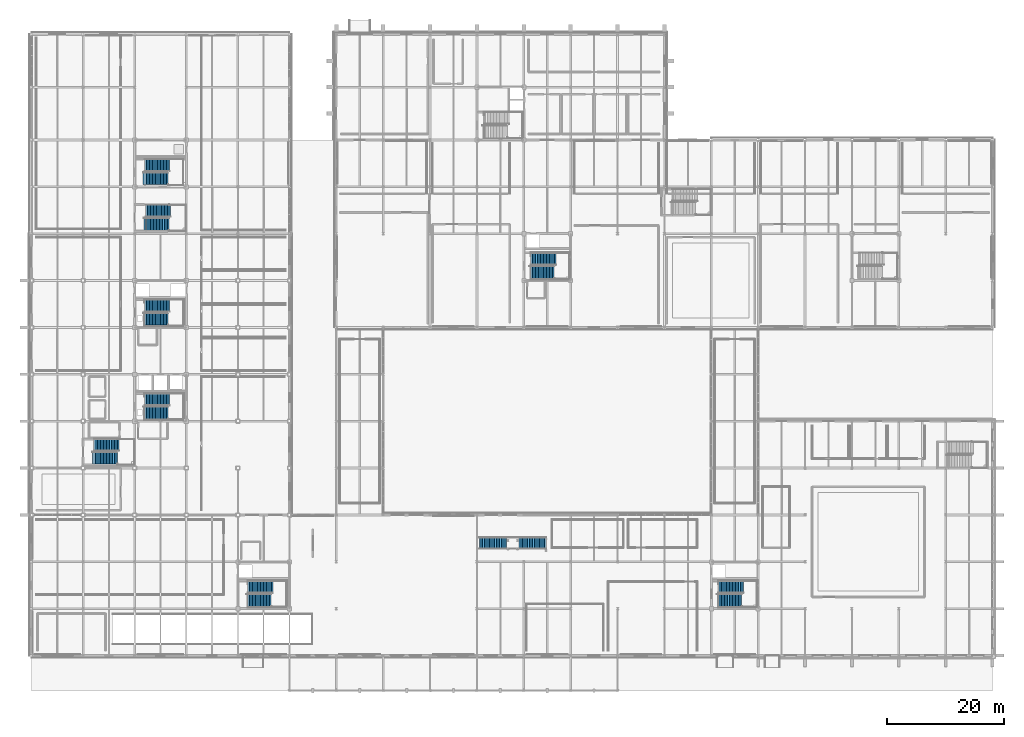
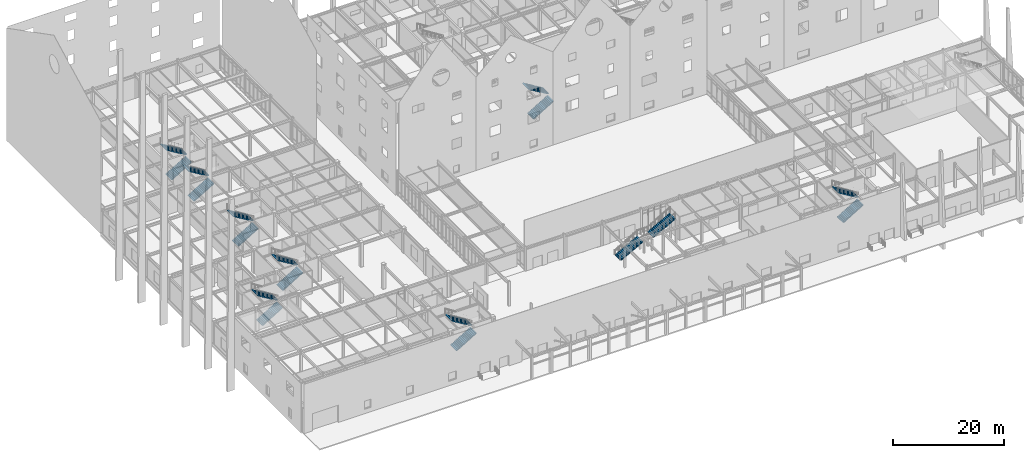
# One storey, part 99 of 119: 18 stair flights, 9 elements without a shape of their own.
"""IFC4 building model written with IfcOpenShell, lengths in metres."""

from ifc_helpers import new_model, si_unit, direction, frame, origin, place, context, subcontext, project, spatial, polyline, outline, extrude, material, type_object, element, aggregate, save


model = new_model("IFC4")

# Units and contexts
model_context = context("Model", 3, precision=1e-05, world=origin(), true_north=direction((0.0, 1.0)))
body_context = subcontext(model_context, "Body", "Model", "MODEL_VIEW")
ifc_project = project(units=[si_unit("LENGTHUNIT", "METRE"), si_unit("AREAUNIT", "SQUARE_METRE"), si_unit("VOLUMEUNIT", "CUBIC_METRE"), si_unit("PLANEANGLEUNIT", "RADIAN"), si_unit("MASSUNIT", "GRAM", prefix="KILO")], contexts=[model_context])

# Site, building, storey
site_placement = place(None, origin())
site = spatial("IfcSite", under=ifc_project, at=site_placement, CompositionType="ELEMENT")
building_placement = place(site_placement, origin())
building = spatial("IfcBuilding", under=site, at=building_placement, Name="Zhaolan Boulevard Law Courts", CompositionType="ELEMENT")
storey_placement = place(building_placement, origin())
storey = spatial("IfcBuildingStorey", under=building, at=storey_placement, Name="L00", CompositionType="ELEMENT", Elevation=0.0)

# Stair, stair flights
ifc_material_1 = material(Name="Concrete C40", Category="concrete")
stair_type_1 = type_object("IfcStairType", Name="GRAND PUBLIC STAIR 540", PredefinedType="STRAIGHT_RUN_STAIR", material=ifc_material_1)
stair_1_placement = place(storey_placement, origin())
stair_1 = element("IfcStair", 1, at=stair_1_placement, inside=storey, type_object=stair_type_1, Name="Stair ST06-L00", PredefinedType="STRAIGHT_RUN_STAIR")
ifc_material_2 = material(Name="Concrete C40", Category="concrete")
stair_flight_type_1 = type_object("IfcStairFlightType", Name="GRAND PUBLIC FLIGHT 540", PredefinedType="STRAIGHT", material=ifc_material_2)
stair_flight_1_placement = place(storey_placement, frame((76.39990234375, 25.199951171875, 0.0), z_axis=(0.0, 0.0, 1.0), x_axis=(1.0, 0.0, 0.0)))
stair_flight_1 = element("IfcStairFlight", 2, at=stair_flight_1_placement, type_object=stair_flight_type_1, Name="Stair Flight ST06-L00-F1", NumberOfRisers=17, NumberOfTreads=16, PredefinedType="STRAIGHT", RiserHeight=0.158823529, TreadLength=0.29, context=body_context, shape_type="SweptSolid", body=[
    extrude(outline(polyline([(0.0, 0.0), (0.0, 0.158935546875), (0.2900390625, 0.158935546875), (0.2900390625, 0.317626953125), (0.580078125, 0.317626953125), (0.580078125, 0.4765625), (0.8701171875, 0.4765625), (0.8701171875, 0.63525390625), (1.159912109375, 0.63525390625), (1.159912109375, 0.794189453125), (1.449951171875, 0.794189453125), (1.449951171875, 0.952880859375), (1.739990234375, 0.952880859375), (1.739990234375, 1.11181640625), (2.030029296875, 1.11181640625), (2.030029296875, 1.2705078125), (2.320068359375, 1.2705078125), (2.320068359375, 1.429443359375), (2.610107421875, 1.429443359375), (2.610107421875, 1.588134765625), (2.89990234375, 1.588134765625), (2.89990234375, 1.7470703125), (3.18994140625, 1.7470703125), (3.18994140625, 1.90576171875), (3.47998046875, 1.90576171875), (3.47998046875, 2.064697265625), (3.77001953125, 2.064697265625), (3.77001953125, 2.2236328125), (4.06005859375, 2.2236328125), (4.06005859375, 2.38232421875), (4.35009765625, 2.38232421875), (4.35009765625, 2.541259765625), (4.639892578125, 2.541259765625), (4.639892578125, 2.699951171875), (4.639892578125, 2.3359375), (0.37451171875, 0.0), (0.0, 0.0)])), frame((0.0, 1.0, 0.0), z_axis=(0.0, -1.0, 0.0), x_axis=(1.0, 0.0, 0.0)), (0.0, 0.0, 1.0), 2.0),
])
stair_flight_2_placement = place(storey_placement, frame((83.18994140625, 25.199951171875, 2.699951171875), z_axis=(0.0, 0.0, 1.0), x_axis=(1.0, 0.0, 0.0)))
stair_flight_2 = element("IfcStairFlight", 3, at=stair_flight_2_placement, type_object=stair_flight_type_1, Name="Stair Flight ST06-L00-F2", NumberOfRisers=17, NumberOfTreads=16, PredefinedType="STRAIGHT", RiserHeight=0.158823529, TreadLength=0.29, context=body_context, shape_type="SweptSolid", body=[
    extrude(outline(polyline([(0.0, 0.0), (0.0, 0.158935546875), (0.2900390625, 0.158935546875), (0.2900390625, 0.317626953125), (0.580078125, 0.317626953125), (0.580078125, 0.4765625), (0.8701171875, 0.4765625), (0.8701171875, 0.63525390625), (1.159912109375, 0.63525390625), (1.159912109375, 0.794189453125), (1.449951171875, 0.794189453125), (1.449951171875, 0.952880859375), (1.739990234375, 0.952880859375), (1.739990234375, 1.11181640625), (2.030029296875, 1.11181640625), (2.030029296875, 1.2705078125), (2.320068359375, 1.2705078125), (2.320068359375, 1.429443359375), (2.610107421875, 1.429443359375), (2.610107421875, 1.588134765625), (2.89990234375, 1.588134765625), (2.89990234375, 1.7470703125), (3.18994140625, 1.7470703125), (3.18994140625, 1.90576171875), (3.47998046875, 1.90576171875), (3.47998046875, 2.064697265625), (3.77001953125, 2.064697265625), (3.77001953125, 2.2236328125), (4.06005859375, 2.2236328125), (4.06005859375, 2.38232421875), (4.35009765625, 2.38232421875), (4.35009765625, 2.541259765625), (4.639892578125, 2.541259765625), (4.639892578125, 2.699951171875), (4.639892578125, 2.3359375), (0.37451171875, 0.0), (0.0, 0.0)])), frame((0.0, 1.0, 0.0), z_axis=(0.0, -1.0, 0.0), x_axis=(1.0, 0.0, 0.0)), (0.0, 0.0, 1.0), 2.0),
])
aggregate(stair_1, [stair_flight_1, stair_flight_2])

ifc_material_3 = material(Name="Concrete C40", Category="concrete")
stair_type_2 = type_object("IfcStairType", Name="HALF TURN STAIR 54 A", PredefinedType="HALF_TURN_STAIR", material=ifc_material_3)
stair_2_placement = place(storey_placement, origin())
stair_2 = element("IfcStair", 4, at=stair_2_placement, inside=storey, type_object=stair_type_2, Name="Stair ST03-L00", PredefinedType="HALF_TURN_STAIR")
ifc_material_4 = material(Name="Concrete C40", Category="concrete")
stair_flight_type_2 = type_object("IfcStairFlightType", Name="STAIR FLIGHT 54 A", PredefinedType="STRAIGHT", material=ifc_material_4)
stair_flight_3_placement = place(storey_placement, frame((10.39990234375, 39.7451171875, 0.0), z_axis=(0.0, 0.0, 1.0), x_axis=(1.0, 0.0, 0.0)))
stair_flight_3 = element("IfcStairFlight", 5, at=stair_flight_3_placement, type_object=stair_flight_type_2, Name="Stair Flight ST03-L00-F1", NumberOfRisers=17, NumberOfTreads=16, PredefinedType="STRAIGHT", RiserHeight=0.158823529, TreadLength=0.265, context=body_context, shape_type="SweptSolid", body=[
    extrude(outline(polyline([(0.0, 0.0), (0.0, 0.158935546875), (0.264892578125, 0.158935546875), (0.264892578125, 0.317626953125), (0.530029296875, 0.317626953125), (0.530029296875, 0.4765625), (0.794921875, 0.4765625), (0.794921875, 0.63525390625), (1.06005859375, 0.63525390625), (1.06005859375, 0.794189453125), (1.324951171875, 0.794189453125), (1.324951171875, 0.952880859375), (1.590087890625, 0.952880859375), (1.590087890625, 1.11181640625), (1.85498046875, 1.11181640625), (1.85498046875, 1.2705078125), (2.1201171875, 1.2705078125), (2.1201171875, 1.429443359375), (2.385009765625, 1.429443359375), (2.385009765625, 1.588134765625), (2.64990234375, 1.588134765625), (2.64990234375, 1.7470703125), (2.9150390625, 1.7470703125), (2.9150390625, 1.90576171875), (3.179931640625, 1.90576171875), (3.179931640625, 2.064697265625), (3.445068359375, 2.064697265625), (3.445068359375, 2.2236328125), (3.7099609375, 2.2236328125), (3.7099609375, 2.38232421875), (3.97509765625, 2.38232421875), (3.97509765625, 2.541259765625), (4.239990234375, 2.541259765625), (4.239990234375, 2.699951171875), (4.239990234375, 2.354736328125), (0.31103515625, 0.0), (0.0, 0.0)])), frame((0.0, 1.06494140625, 0.0), z_axis=(0.0, -1.0, 0.0), x_axis=(1.0, 0.0, 0.0)), (0.0, 0.0, 1.0), 2.1298828125),
])
stair_flight_4_placement = place(storey_placement, frame((14.925048828125, 41.97509765625, 2.699951171875), z_axis=(0.0, 0.0, 1.0), x_axis=(-1.0, 0.0, 0.0)))
stair_flight_4 = element("IfcStairFlight", 6, at=stair_flight_4_placement, type_object=stair_flight_type_2, Name="Stair Flight ST03-L00-F2", NumberOfRisers=17, NumberOfTreads=16, PredefinedType="STRAIGHT", RiserHeight=0.158823529, TreadLength=0.265, context=body_context, shape_type="SweptSolid", body=[
    extrude(outline(polyline([(0.0, 0.0), (0.0, 0.158935546875), (0.264892578125, 0.158935546875), (0.264892578125, 0.317626953125), (0.530029296875, 0.317626953125), (0.530029296875, 0.4765625), (0.794921875, 0.4765625), (0.794921875, 0.63525390625), (1.06005859375, 0.63525390625), (1.06005859375, 0.794189453125), (1.324951171875, 0.794189453125), (1.324951171875, 0.952880859375), (1.590087890625, 0.952880859375), (1.590087890625, 1.11181640625), (1.85498046875, 1.11181640625), (1.85498046875, 1.2705078125), (2.1201171875, 1.2705078125), (2.1201171875, 1.429443359375), (2.385009765625, 1.429443359375), (2.385009765625, 1.588134765625), (2.64990234375, 1.588134765625), (2.64990234375, 1.7470703125), (2.9150390625, 1.7470703125), (2.9150390625, 1.90576171875), (3.179931640625, 1.90576171875), (3.179931640625, 2.064697265625), (3.445068359375, 2.064697265625), (3.445068359375, 2.2236328125), (3.7099609375, 2.2236328125), (3.7099609375, 2.38232421875), (3.97509765625, 2.38232421875), (3.97509765625, 2.541259765625), (4.239990234375, 2.541259765625), (4.239990234375, 2.699951171875), (4.239990234375, 2.354736328125), (0.31103515625, 0.0), (0.0, 0.0)])), frame((0.0, 1.06494140625, 0.0), z_axis=(0.0, -1.0, 0.0), x_axis=(1.0, 0.0, 0.0)), (0.0, 0.0, 1.0), 2.1298828125),
])
aggregate(stair_2, [stair_flight_3, stair_flight_4])

stair_3_placement = place(storey_placement, origin())
stair_3 = element("IfcStair", 7, at=stair_3_placement, inside=storey, type_object=stair_type_2, Name="Stair ST08-L00", PredefinedType="HALF_TURN_STAIR")
stair_flight_5_placement = place(storey_placement, frame((84.949951171875, 71.445068359375, 0.0), z_axis=(0.0, 0.0, 1.0), x_axis=(1.0, 0.0, 0.0)))
stair_flight_5 = element("IfcStairFlight", 8, at=stair_flight_5_placement, type_object=stair_flight_type_2, Name="Stair Flight ST08-L00-F1", NumberOfRisers=17, NumberOfTreads=16, PredefinedType="STRAIGHT", RiserHeight=0.158823529, TreadLength=0.265, context=body_context, shape_type="SweptSolid", body=[
    extrude(outline(polyline([(0.0, 0.0), (0.0, 0.158935546875), (0.264892578125, 0.158935546875), (0.264892578125, 0.317626953125), (0.530029296875, 0.317626953125), (0.530029296875, 0.4765625), (0.794921875, 0.4765625), (0.794921875, 0.63525390625), (1.06005859375, 0.63525390625), (1.06005859375, 0.794189453125), (1.324951171875, 0.794189453125), (1.324951171875, 0.952880859375), (1.590087890625, 0.952880859375), (1.590087890625, 1.11181640625), (1.85498046875, 1.11181640625), (1.85498046875, 1.2705078125), (2.1201171875, 1.2705078125), (2.1201171875, 1.429443359375), (2.385009765625, 1.429443359375), (2.385009765625, 1.588134765625), (2.64990234375, 1.588134765625), (2.64990234375, 1.7470703125), (2.9150390625, 1.7470703125), (2.9150390625, 1.90576171875), (3.179931640625, 1.90576171875), (3.179931640625, 2.064697265625), (3.445068359375, 2.064697265625), (3.445068359375, 2.2236328125), (3.7099609375, 2.2236328125), (3.7099609375, 2.38232421875), (3.97509765625, 2.38232421875), (3.97509765625, 2.541259765625), (4.239990234375, 2.541259765625), (4.239990234375, 2.699951171875), (4.239990234375, 2.354736328125), (0.31103515625, 0.0), (0.0, 0.0)])), frame((0.0, 1.06494140625, 0.0), z_axis=(0.0, -1.0, 0.0), x_axis=(1.0, 0.0, 0.0)), (0.0, 0.0, 1.0), 2.1298828125),
])
stair_flight_6_placement = place(storey_placement, frame((89.47509765625, 73.675048828125, 2.699951171875), z_axis=(0.0, 0.0, 1.0), x_axis=(-1.0, 0.0, 0.0)))
stair_flight_6 = element("IfcStairFlight", 9, at=stair_flight_6_placement, type_object=stair_flight_type_2, Name="Stair Flight ST08-L00-F2", NumberOfRisers=17, NumberOfTreads=16, PredefinedType="STRAIGHT", RiserHeight=0.158823529, TreadLength=0.265, context=body_context, shape_type="SweptSolid", body=[
    extrude(outline(polyline([(0.0, 0.0), (0.0, 0.158935546875), (0.264892578125, 0.158935546875), (0.264892578125, 0.317626953125), (0.530029296875, 0.317626953125), (0.530029296875, 0.4765625), (0.794921875, 0.4765625), (0.794921875, 0.63525390625), (1.06005859375, 0.63525390625), (1.06005859375, 0.794189453125), (1.324951171875, 0.794189453125), (1.324951171875, 0.952880859375), (1.590087890625, 0.952880859375), (1.590087890625, 1.11181640625), (1.85498046875, 1.11181640625), (1.85498046875, 1.2705078125), (2.1201171875, 1.2705078125), (2.1201171875, 1.429443359375), (2.385009765625, 1.429443359375), (2.385009765625, 1.588134765625), (2.64990234375, 1.588134765625), (2.64990234375, 1.7470703125), (2.9150390625, 1.7470703125), (2.9150390625, 1.90576171875), (3.179931640625, 1.90576171875), (3.179931640625, 2.064697265625), (3.445068359375, 2.064697265625), (3.445068359375, 2.2236328125), (3.7099609375, 2.2236328125), (3.7099609375, 2.38232421875), (3.97509765625, 2.38232421875), (3.97509765625, 2.541259765625), (4.239990234375, 2.541259765625), (4.239990234375, 2.699951171875), (4.239990234375, 2.354736328125), (0.31103515625, 0.0), (0.0, 0.0)])), frame((0.0, 1.06494140625, 0.0), z_axis=(0.0, -1.0, 0.0), x_axis=(1.0, 0.0, 0.0)), (0.0, 0.0, 1.0), 2.1298828125),
])
aggregate(stair_3, [stair_flight_5, stair_flight_6])

stair_4_placement = place(storey_placement, origin())
stair_4 = element("IfcStair", 10, at=stair_4_placement, inside=storey, type_object=stair_type_2, Name="Stair ST10-L00", PredefinedType="HALF_TURN_STAIR")
stair_flight_7_placement = place(storey_placement, frame((19.050048828125, 87.445068359375, 0.0), z_axis=(0.0, 0.0, 1.0), x_axis=(1.0, 0.0, 0.0)))
stair_flight_7 = element("IfcStairFlight", 11, at=stair_flight_7_placement, type_object=stair_flight_type_2, Name="Stair Flight ST10-L00-F1", NumberOfRisers=17, NumberOfTreads=16, PredefinedType="STRAIGHT", RiserHeight=0.158823529, TreadLength=0.265, context=body_context, shape_type="SweptSolid", body=[
    extrude(outline(polyline([(0.0, 0.0), (0.0, 0.158935546875), (0.264892578125, 0.158935546875), (0.264892578125, 0.317626953125), (0.530029296875, 0.317626953125), (0.530029296875, 0.4765625), (0.794921875, 0.4765625), (0.794921875, 0.63525390625), (1.06005859375, 0.63525390625), (1.06005859375, 0.794189453125), (1.324951171875, 0.794189453125), (1.324951171875, 0.952880859375), (1.590087890625, 0.952880859375), (1.590087890625, 1.11181640625), (1.85498046875, 1.11181640625), (1.85498046875, 1.2705078125), (2.1201171875, 1.2705078125), (2.1201171875, 1.429443359375), (2.385009765625, 1.429443359375), (2.385009765625, 1.588134765625), (2.64990234375, 1.588134765625), (2.64990234375, 1.7470703125), (2.9150390625, 1.7470703125), (2.9150390625, 1.90576171875), (3.179931640625, 1.90576171875), (3.179931640625, 2.064697265625), (3.445068359375, 2.064697265625), (3.445068359375, 2.2236328125), (3.7099609375, 2.2236328125), (3.7099609375, 2.38232421875), (3.97509765625, 2.38232421875), (3.97509765625, 2.541259765625), (4.239990234375, 2.541259765625), (4.239990234375, 2.699951171875), (4.239990234375, 2.354736328125), (0.31103515625, 0.0), (0.0, 0.0)])), frame((0.0, 1.06494140625, 0.0), z_axis=(0.0, -1.0, 0.0), x_axis=(1.0, 0.0, 0.0)), (0.0, 0.0, 1.0), 2.1298828125),
])
stair_flight_8_placement = place(storey_placement, frame((23.574951171875, 89.675048828125, 2.699951171875), z_axis=(0.0, 0.0, 1.0), x_axis=(-1.0, 0.0, 0.0)))
stair_flight_8 = element("IfcStairFlight", 12, at=stair_flight_8_placement, type_object=stair_flight_type_2, Name="Stair Flight ST10-L00-F2", NumberOfRisers=17, NumberOfTreads=16, PredefinedType="STRAIGHT", RiserHeight=0.158823529, TreadLength=0.265, context=body_context, shape_type="SweptSolid", body=[
    extrude(outline(polyline([(0.0, 0.0), (0.0, 0.158935546875), (0.264892578125, 0.158935546875), (0.264892578125, 0.317626953125), (0.530029296875, 0.317626953125), (0.530029296875, 0.4765625), (0.794921875, 0.4765625), (0.794921875, 0.63525390625), (1.06005859375, 0.63525390625), (1.06005859375, 0.794189453125), (1.324951171875, 0.794189453125), (1.324951171875, 0.952880859375), (1.590087890625, 0.952880859375), (1.590087890625, 1.11181640625), (1.85498046875, 1.11181640625), (1.85498046875, 1.2705078125), (2.1201171875, 1.2705078125), (2.1201171875, 1.429443359375), (2.385009765625, 1.429443359375), (2.385009765625, 1.588134765625), (2.64990234375, 1.588134765625), (2.64990234375, 1.7470703125), (2.9150390625, 1.7470703125), (2.9150390625, 1.90576171875), (3.179931640625, 1.90576171875), (3.179931640625, 2.064697265625), (3.445068359375, 2.064697265625), (3.445068359375, 2.2236328125), (3.7099609375, 2.2236328125), (3.7099609375, 2.38232421875), (3.97509765625, 2.38232421875), (3.97509765625, 2.541259765625), (4.239990234375, 2.541259765625), (4.239990234375, 2.699951171875), (4.239990234375, 2.354736328125), (0.31103515625, 0.0), (0.0, 0.0)])), frame((0.0, 1.06494140625, 0.0), z_axis=(0.0, -1.0, 0.0), x_axis=(1.0, 0.0, 0.0)), (0.0, 0.0, 1.0), 2.1298828125),
])
aggregate(stair_4, [stair_flight_7, stair_flight_8])

ifc_material_5 = material(Name="Concrete C40", Category="concrete")
stair_type_3 = type_object("IfcStairType", Name="HALF TURN STAIR 54 B", PredefinedType="HALF_TURN_STAIR", material=ifc_material_5)
stair_5_placement = place(storey_placement, origin())
stair_5 = element("IfcStair", 13, at=stair_5_placement, inside=storey, type_object=stair_type_3, Name="Stair ST01-L00", PredefinedType="HALF_TURN_STAIR")
ifc_material_6 = material(Name="Concrete C40", Category="concrete")
stair_flight_type_3 = type_object("IfcStairFlightType", Name="STAIR FLIGHT 54 B", PredefinedType="STRAIGHT", material=ifc_material_6)
stair_flight_9_placement = place(storey_placement, frame((19.050048828125, 47.4599609375, 0.0), z_axis=(0.0, 0.0, 1.0), x_axis=(1.0, 0.0, 0.0)))
stair_flight_9 = element("IfcStairFlight", 14, at=stair_flight_9_placement, type_object=stair_flight_type_3, Name="Stair Flight ST01-L00-F1", NumberOfRisers=17, NumberOfTreads=16, PredefinedType="STRAIGHT", RiserHeight=0.158823529, TreadLength=0.265, context=body_context, shape_type="SweptSolid", body=[
    extrude(outline(polyline([(0.0, 0.0), (0.0, 0.158935546875), (0.264892578125, 0.158935546875), (0.264892578125, 0.317626953125), (0.530029296875, 0.317626953125), (0.530029296875, 0.4765625), (0.794921875, 0.4765625), (0.794921875, 0.63525390625), (1.06005859375, 0.63525390625), (1.06005859375, 0.794189453125), (1.324951171875, 0.794189453125), (1.324951171875, 0.952880859375), (1.590087890625, 0.952880859375), (1.590087890625, 1.11181640625), (1.85498046875, 1.11181640625), (1.85498046875, 1.2705078125), (2.1201171875, 1.2705078125), (2.1201171875, 1.429443359375), (2.385009765625, 1.429443359375), (2.385009765625, 1.588134765625), (2.64990234375, 1.588134765625), (2.64990234375, 1.7470703125), (2.9150390625, 1.7470703125), (2.9150390625, 1.90576171875), (3.179931640625, 1.90576171875), (3.179931640625, 2.064697265625), (3.445068359375, 2.064697265625), (3.445068359375, 2.2236328125), (3.7099609375, 2.2236328125), (3.7099609375, 2.38232421875), (3.97509765625, 2.38232421875), (3.97509765625, 2.541259765625), (4.239990234375, 2.541259765625), (4.239990234375, 2.699951171875), (4.239990234375, 2.354736328125), (0.31103515625, 0.0), (0.0, 0.0)])), frame((0.0, 1.080078125, 0.0), z_axis=(0.0, -1.0, 0.0), x_axis=(1.0, 0.0, 0.0)), (0.0, 0.0, 1.0), 2.159912109375),
])
stair_flight_10_placement = place(storey_placement, frame((23.574951171875, 49.719970703125, 2.699951171875), z_axis=(0.0, 0.0, 1.0), x_axis=(-1.0, 0.0, 0.0)))
stair_flight_10 = element("IfcStairFlight", 15, at=stair_flight_10_placement, type_object=stair_flight_type_3, Name="Stair Flight ST01-L00-F2", NumberOfRisers=17, NumberOfTreads=16, PredefinedType="STRAIGHT", RiserHeight=0.158823529, TreadLength=0.265, context=body_context, shape_type="SweptSolid", body=[
    extrude(outline(polyline([(0.0, 0.0), (0.0, 0.158935546875), (0.264892578125, 0.158935546875), (0.264892578125, 0.317626953125), (0.530029296875, 0.317626953125), (0.530029296875, 0.4765625), (0.794921875, 0.4765625), (0.794921875, 0.63525390625), (1.06005859375, 0.63525390625), (1.06005859375, 0.794189453125), (1.324951171875, 0.794189453125), (1.324951171875, 0.952880859375), (1.590087890625, 0.952880859375), (1.590087890625, 1.11181640625), (1.85498046875, 1.11181640625), (1.85498046875, 1.2705078125), (2.1201171875, 1.2705078125), (2.1201171875, 1.429443359375), (2.385009765625, 1.429443359375), (2.385009765625, 1.588134765625), (2.64990234375, 1.588134765625), (2.64990234375, 1.7470703125), (2.9150390625, 1.7470703125), (2.9150390625, 1.90576171875), (3.179931640625, 1.90576171875), (3.179931640625, 2.064697265625), (3.445068359375, 2.064697265625), (3.445068359375, 2.2236328125), (3.7099609375, 2.2236328125), (3.7099609375, 2.38232421875), (3.97509765625, 2.38232421875), (3.97509765625, 2.541259765625), (4.239990234375, 2.541259765625), (4.239990234375, 2.699951171875), (4.239990234375, 2.354736328125), (0.31103515625, 0.0), (0.0, 0.0)])), frame((0.0, 1.080078125, 0.0), z_axis=(0.0, -1.0, 0.0), x_axis=(1.0, 0.0, 0.0)), (0.0, 0.0, 1.0), 2.159912109375),
])
aggregate(stair_5, [stair_flight_9, stair_flight_10])

stair_6_placement = place(storey_placement, origin())
stair_6 = element("IfcStair", 16, at=stair_6_placement, inside=storey, type_object=stair_type_3, Name="Stair ST02-L00", PredefinedType="HALF_TURN_STAIR")
stair_flight_11_placement = place(storey_placement, frame((19.050048828125, 63.4599609375, 0.0), z_axis=(0.0, 0.0, 1.0), x_axis=(1.0, 0.0, 0.0)))
stair_flight_11 = element("IfcStairFlight", 17, at=stair_flight_11_placement, type_object=stair_flight_type_3, Name="Stair Flight ST02-L00-F1", NumberOfRisers=17, NumberOfTreads=16, PredefinedType="STRAIGHT", RiserHeight=0.158823529, TreadLength=0.265, context=body_context, shape_type="SweptSolid", body=[
    extrude(outline(polyline([(0.0, 0.0), (0.0, 0.158935546875), (0.264892578125, 0.158935546875), (0.264892578125, 0.317626953125), (0.530029296875, 0.317626953125), (0.530029296875, 0.4765625), (0.794921875, 0.4765625), (0.794921875, 0.63525390625), (1.06005859375, 0.63525390625), (1.06005859375, 0.794189453125), (1.324951171875, 0.794189453125), (1.324951171875, 0.952880859375), (1.590087890625, 0.952880859375), (1.590087890625, 1.11181640625), (1.85498046875, 1.11181640625), (1.85498046875, 1.2705078125), (2.1201171875, 1.2705078125), (2.1201171875, 1.429443359375), (2.385009765625, 1.429443359375), (2.385009765625, 1.588134765625), (2.64990234375, 1.588134765625), (2.64990234375, 1.7470703125), (2.9150390625, 1.7470703125), (2.9150390625, 1.90576171875), (3.179931640625, 1.90576171875), (3.179931640625, 2.064697265625), (3.445068359375, 2.064697265625), (3.445068359375, 2.2236328125), (3.7099609375, 2.2236328125), (3.7099609375, 2.38232421875), (3.97509765625, 2.38232421875), (3.97509765625, 2.541259765625), (4.239990234375, 2.541259765625), (4.239990234375, 2.699951171875), (4.239990234375, 2.354736328125), (0.31103515625, 0.0), (0.0, 0.0)])), frame((0.0, 1.080078125, 0.0), z_axis=(0.0, -1.0, 0.0), x_axis=(1.0, 0.0, 0.0)), (0.0, 0.0, 1.0), 2.159912109375),
])
stair_flight_12_placement = place(storey_placement, frame((23.574951171875, 65.719970703125, 2.699951171875), z_axis=(0.0, 0.0, 1.0), x_axis=(-1.0, 0.0, 0.0)))
stair_flight_12 = element("IfcStairFlight", 18, at=stair_flight_12_placement, type_object=stair_flight_type_3, Name="Stair Flight ST02-L00-F2", NumberOfRisers=17, NumberOfTreads=16, PredefinedType="STRAIGHT", RiserHeight=0.158823529, TreadLength=0.265, context=body_context, shape_type="SweptSolid", body=[
    extrude(outline(polyline([(0.0, 0.0), (0.0, 0.158935546875), (0.264892578125, 0.158935546875), (0.264892578125, 0.317626953125), (0.530029296875, 0.317626953125), (0.530029296875, 0.4765625), (0.794921875, 0.4765625), (0.794921875, 0.63525390625), (1.06005859375, 0.63525390625), (1.06005859375, 0.794189453125), (1.324951171875, 0.794189453125), (1.324951171875, 0.952880859375), (1.590087890625, 0.952880859375), (1.590087890625, 1.11181640625), (1.85498046875, 1.11181640625), (1.85498046875, 1.2705078125), (2.1201171875, 1.2705078125), (2.1201171875, 1.429443359375), (2.385009765625, 1.429443359375), (2.385009765625, 1.588134765625), (2.64990234375, 1.588134765625), (2.64990234375, 1.7470703125), (2.9150390625, 1.7470703125), (2.9150390625, 1.90576171875), (3.179931640625, 1.90576171875), (3.179931640625, 2.064697265625), (3.445068359375, 2.064697265625), (3.445068359375, 2.2236328125), (3.7099609375, 2.2236328125), (3.7099609375, 2.38232421875), (3.97509765625, 2.38232421875), (3.97509765625, 2.541259765625), (4.239990234375, 2.541259765625), (4.239990234375, 2.699951171875), (4.239990234375, 2.354736328125), (0.31103515625, 0.0), (0.0, 0.0)])), frame((0.0, 1.080078125, 0.0), z_axis=(0.0, -1.0, 0.0), x_axis=(1.0, 0.0, 0.0)), (0.0, 0.0, 1.0), 2.159912109375),
])
aggregate(stair_6, [stair_flight_11, stair_flight_12])

stair_7_placement = place(storey_placement, origin())
stair_7 = element("IfcStair", 19, at=stair_7_placement, inside=storey, type_object=stair_type_3, Name="Stair ST04-L00", PredefinedType="HALF_TURN_STAIR")
stair_flight_13_placement = place(storey_placement, frame((36.64990234375, 15.4599609375, 0.0), z_axis=(0.0, 0.0, 1.0), x_axis=(1.0, 0.0, 0.0)))
stair_flight_13 = element("IfcStairFlight", 20, at=stair_flight_13_placement, type_object=stair_flight_type_3, Name="Stair Flight ST04-L00-F1", NumberOfRisers=17, NumberOfTreads=16, PredefinedType="STRAIGHT", RiserHeight=0.158823529, TreadLength=0.265, context=body_context, shape_type="SweptSolid", body=[
    extrude(outline(polyline([(0.0, 0.0), (0.0, 0.158935546875), (0.264892578125, 0.158935546875), (0.264892578125, 0.317626953125), (0.530029296875, 0.317626953125), (0.530029296875, 0.4765625), (0.794921875, 0.4765625), (0.794921875, 0.63525390625), (1.06005859375, 0.63525390625), (1.06005859375, 0.794189453125), (1.324951171875, 0.794189453125), (1.324951171875, 0.952880859375), (1.590087890625, 0.952880859375), (1.590087890625, 1.11181640625), (1.85498046875, 1.11181640625), (1.85498046875, 1.2705078125), (2.1201171875, 1.2705078125), (2.1201171875, 1.429443359375), (2.385009765625, 1.429443359375), (2.385009765625, 1.588134765625), (2.64990234375, 1.588134765625), (2.64990234375, 1.7470703125), (2.9150390625, 1.7470703125), (2.9150390625, 1.90576171875), (3.179931640625, 1.90576171875), (3.179931640625, 2.064697265625), (3.445068359375, 2.064697265625), (3.445068359375, 2.2236328125), (3.7099609375, 2.2236328125), (3.7099609375, 2.38232421875), (3.97509765625, 2.38232421875), (3.97509765625, 2.541259765625), (4.239990234375, 2.541259765625), (4.239990234375, 2.699951171875), (4.239990234375, 2.354736328125), (0.31103515625, 0.0), (0.0, 0.0)])), frame((0.0, 1.080078125, 0.0), z_axis=(0.0, -1.0, 0.0), x_axis=(1.0, 0.0, 0.0)), (0.0, 0.0, 1.0), 2.159912109375),
])
stair_flight_14_placement = place(storey_placement, frame((41.175048828125, 17.719970703125, 2.699951171875), z_axis=(0.0, 0.0, 1.0), x_axis=(-1.0, 0.0, 0.0)))
stair_flight_14 = element("IfcStairFlight", 21, at=stair_flight_14_placement, type_object=stair_flight_type_3, Name="Stair Flight ST04-L00-F2", NumberOfRisers=17, NumberOfTreads=16, PredefinedType="STRAIGHT", RiserHeight=0.158823529, TreadLength=0.265, context=body_context, shape_type="SweptSolid", body=[
    extrude(outline(polyline([(0.0, 0.0), (0.0, 0.158935546875), (0.264892578125, 0.158935546875), (0.264892578125, 0.317626953125), (0.530029296875, 0.317626953125), (0.530029296875, 0.4765625), (0.794921875, 0.4765625), (0.794921875, 0.63525390625), (1.06005859375, 0.63525390625), (1.06005859375, 0.794189453125), (1.324951171875, 0.794189453125), (1.324951171875, 0.952880859375), (1.590087890625, 0.952880859375), (1.590087890625, 1.11181640625), (1.85498046875, 1.11181640625), (1.85498046875, 1.2705078125), (2.1201171875, 1.2705078125), (2.1201171875, 1.429443359375), (2.385009765625, 1.429443359375), (2.385009765625, 1.588134765625), (2.64990234375, 1.588134765625), (2.64990234375, 1.7470703125), (2.9150390625, 1.7470703125), (2.9150390625, 1.90576171875), (3.179931640625, 1.90576171875), (3.179931640625, 2.064697265625), (3.445068359375, 2.064697265625), (3.445068359375, 2.2236328125), (3.7099609375, 2.2236328125), (3.7099609375, 2.38232421875), (3.97509765625, 2.38232421875), (3.97509765625, 2.541259765625), (4.239990234375, 2.541259765625), (4.239990234375, 2.699951171875), (4.239990234375, 2.354736328125), (0.31103515625, 0.0), (0.0, 0.0)])), frame((0.0, 1.080078125, 0.0), z_axis=(0.0, -1.0, 0.0), x_axis=(1.0, 0.0, 0.0)), (0.0, 0.0, 1.0), 2.159912109375),
])
aggregate(stair_7, [stair_flight_13, stair_flight_14])

stair_8_placement = place(storey_placement, origin())
stair_8 = element("IfcStair", 22, at=stair_8_placement, inside=storey, type_object=stair_type_3, Name="Stair ST05-L00", PredefinedType="HALF_TURN_STAIR")
stair_flight_15_placement = place(storey_placement, frame((116.949951171875, 15.4599609375, 0.0), z_axis=(0.0, 0.0, 1.0), x_axis=(1.0, 0.0, 0.0)))
stair_flight_15 = element("IfcStairFlight", 23, at=stair_flight_15_placement, type_object=stair_flight_type_3, Name="Stair Flight ST05-L00-F1", NumberOfRisers=17, NumberOfTreads=16, PredefinedType="STRAIGHT", RiserHeight=0.158823529, TreadLength=0.265, context=body_context, shape_type="SweptSolid", body=[
    extrude(outline(polyline([(0.0, 0.0), (0.0, 0.158935546875), (0.264892578125, 0.158935546875), (0.264892578125, 0.317626953125), (0.530029296875, 0.317626953125), (0.530029296875, 0.4765625), (0.794921875, 0.4765625), (0.794921875, 0.63525390625), (1.06005859375, 0.63525390625), (1.06005859375, 0.794189453125), (1.324951171875, 0.794189453125), (1.324951171875, 0.952880859375), (1.590087890625, 0.952880859375), (1.590087890625, 1.11181640625), (1.85498046875, 1.11181640625), (1.85498046875, 1.2705078125), (2.1201171875, 1.2705078125), (2.1201171875, 1.429443359375), (2.385009765625, 1.429443359375), (2.385009765625, 1.588134765625), (2.64990234375, 1.588134765625), (2.64990234375, 1.7470703125), (2.9150390625, 1.7470703125), (2.9150390625, 1.90576171875), (3.179931640625, 1.90576171875), (3.179931640625, 2.064697265625), (3.445068359375, 2.064697265625), (3.445068359375, 2.2236328125), (3.7099609375, 2.2236328125), (3.7099609375, 2.38232421875), (3.97509765625, 2.38232421875), (3.97509765625, 2.541259765625), (4.239990234375, 2.541259765625), (4.239990234375, 2.699951171875), (4.239990234375, 2.354736328125), (0.31103515625, 0.0), (0.0, 0.0)])), frame((0.0, 1.080078125, 0.0), z_axis=(0.0, -1.0, 0.0), x_axis=(1.0, 0.0, 0.0)), (0.0, 0.0, 1.0), 2.159912109375),
])
stair_flight_16_placement = place(storey_placement, frame((121.47509765625, 17.719970703125, 2.699951171875), z_axis=(0.0, 0.0, 1.0), x_axis=(-1.0, 0.0, 0.0)))
stair_flight_16 = element("IfcStairFlight", 24, at=stair_flight_16_placement, type_object=stair_flight_type_3, Name="Stair Flight ST05-L00-F2", NumberOfRisers=17, NumberOfTreads=16, PredefinedType="STRAIGHT", RiserHeight=0.158823529, TreadLength=0.265, context=body_context, shape_type="SweptSolid", body=[
    extrude(outline(polyline([(0.0, 0.0), (0.0, 0.158935546875), (0.264892578125, 0.158935546875), (0.264892578125, 0.317626953125), (0.530029296875, 0.317626953125), (0.530029296875, 0.4765625), (0.794921875, 0.4765625), (0.794921875, 0.63525390625), (1.06005859375, 0.63525390625), (1.06005859375, 0.794189453125), (1.324951171875, 0.794189453125), (1.324951171875, 0.952880859375), (1.590087890625, 0.952880859375), (1.590087890625, 1.11181640625), (1.85498046875, 1.11181640625), (1.85498046875, 1.2705078125), (2.1201171875, 1.2705078125), (2.1201171875, 1.429443359375), (2.385009765625, 1.429443359375), (2.385009765625, 1.588134765625), (2.64990234375, 1.588134765625), (2.64990234375, 1.7470703125), (2.9150390625, 1.7470703125), (2.9150390625, 1.90576171875), (3.179931640625, 1.90576171875), (3.179931640625, 2.064697265625), (3.445068359375, 2.064697265625), (3.445068359375, 2.2236328125), (3.7099609375, 2.2236328125), (3.7099609375, 2.38232421875), (3.97509765625, 2.38232421875), (3.97509765625, 2.541259765625), (4.239990234375, 2.541259765625), (4.239990234375, 2.699951171875), (4.239990234375, 2.354736328125), (0.31103515625, 0.0), (0.0, 0.0)])), frame((0.0, 1.080078125, 0.0), z_axis=(0.0, -1.0, 0.0), x_axis=(1.0, 0.0, 0.0)), (0.0, 0.0, 1.0), 2.159912109375),
])
aggregate(stair_8, [stair_flight_15, stair_flight_16])

stair_9_placement = place(storey_placement, origin())
stair_9 = element("IfcStair", 25, at=stair_9_placement, inside=storey, type_object=stair_type_3, Name="Stair ST12-L00", PredefinedType="HALF_TURN_STAIR")
stair_flight_17_placement = place(storey_placement, frame((19.199951171875, 79.659912109375, 0.0), z_axis=(0.0, 0.0, 1.0), x_axis=(1.0, 0.0, 0.0)))
stair_flight_17 = element("IfcStairFlight", 26, at=stair_flight_17_placement, type_object=stair_flight_type_3, Name="Stair Flight ST12-L00-F1", NumberOfRisers=17, NumberOfTreads=16, PredefinedType="STRAIGHT", RiserHeight=0.158823529, TreadLength=0.265, context=body_context, shape_type="SweptSolid", body=[
    extrude(outline(polyline([(0.0, 0.0), (0.0, 0.158935546875), (0.264892578125, 0.158935546875), (0.264892578125, 0.317626953125), (0.530029296875, 0.317626953125), (0.530029296875, 0.4765625), (0.794921875, 0.4765625), (0.794921875, 0.63525390625), (1.06005859375, 0.63525390625), (1.06005859375, 0.794189453125), (1.324951171875, 0.794189453125), (1.324951171875, 0.952880859375), (1.590087890625, 0.952880859375), (1.590087890625, 1.11181640625), (1.85498046875, 1.11181640625), (1.85498046875, 1.2705078125), (2.1201171875, 1.2705078125), (2.1201171875, 1.429443359375), (2.385009765625, 1.429443359375), (2.385009765625, 1.588134765625), (2.64990234375, 1.588134765625), (2.64990234375, 1.7470703125), (2.9150390625, 1.7470703125), (2.9150390625, 1.90576171875), (3.179931640625, 1.90576171875), (3.179931640625, 2.064697265625), (3.445068359375, 2.064697265625), (3.445068359375, 2.2236328125), (3.7099609375, 2.2236328125), (3.7099609375, 2.38232421875), (3.97509765625, 2.38232421875), (3.97509765625, 2.541259765625), (4.239990234375, 2.541259765625), (4.239990234375, 2.699951171875), (4.239990234375, 2.354736328125), (0.31103515625, 0.0), (0.0, 0.0)])), frame((0.0, 1.080078125, 0.0), z_axis=(0.0, -1.0, 0.0), x_axis=(1.0, 0.0, 0.0)), (0.0, 0.0, 1.0), 2.159912109375),
])
stair_flight_18_placement = place(storey_placement, frame((23.72509765625, 81.919921875, 2.699951171875), z_axis=(0.0, 0.0, 1.0), x_axis=(-1.0, 0.0, 0.0)))
stair_flight_18 = element("IfcStairFlight", 27, at=stair_flight_18_placement, type_object=stair_flight_type_3, Name="Stair Flight ST12-L00-F2", NumberOfRisers=17, NumberOfTreads=16, PredefinedType="STRAIGHT", RiserHeight=0.158823529, TreadLength=0.265, context=body_context, shape_type="SweptSolid", body=[
    extrude(outline(polyline([(0.0, 0.0), (0.0, 0.158935546875), (0.264892578125, 0.158935546875), (0.264892578125, 0.317626953125), (0.530029296875, 0.317626953125), (0.530029296875, 0.4765625), (0.794921875, 0.4765625), (0.794921875, 0.63525390625), (1.06005859375, 0.63525390625), (1.06005859375, 0.794189453125), (1.324951171875, 0.794189453125), (1.324951171875, 0.952880859375), (1.590087890625, 0.952880859375), (1.590087890625, 1.11181640625), (1.85498046875, 1.11181640625), (1.85498046875, 1.2705078125), (2.1201171875, 1.2705078125), (2.1201171875, 1.429443359375), (2.385009765625, 1.429443359375), (2.385009765625, 1.588134765625), (2.64990234375, 1.588134765625), (2.64990234375, 1.7470703125), (2.9150390625, 1.7470703125), (2.9150390625, 1.90576171875), (3.179931640625, 1.90576171875), (3.179931640625, 2.064697265625), (3.445068359375, 2.064697265625), (3.445068359375, 2.2236328125), (3.7099609375, 2.2236328125), (3.7099609375, 2.38232421875), (3.97509765625, 2.38232421875), (3.97509765625, 2.541259765625), (4.239990234375, 2.541259765625), (4.239990234375, 2.699951171875), (4.239990234375, 2.354736328125), (0.31103515625, 0.0), (0.0, 0.0)])), frame((0.0, 1.080078125, 0.0), z_axis=(0.0, -1.0, 0.0), x_axis=(1.0, 0.0, 0.0)), (0.0, 0.0, 1.0), 2.159912109375),
])
aggregate(stair_9, [stair_flight_17, stair_flight_18])

save(model, "model.ifc")
